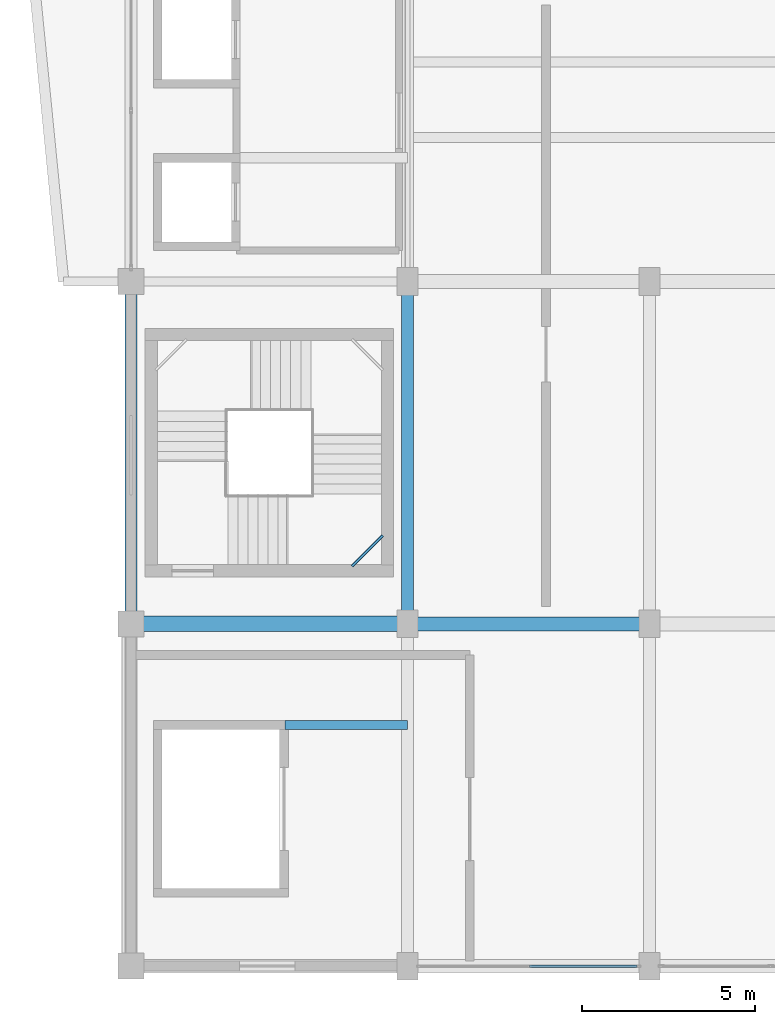
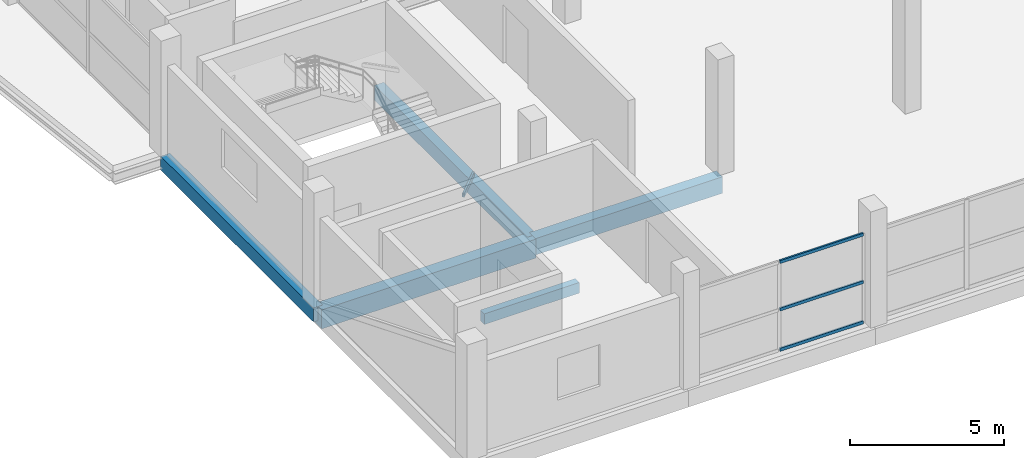
# One storey, part 3 of 55: 6 beams, 3 members, 1 element without a shape of its own.
"""IFC4 building model written with IfcOpenShell, lengths in metres."""

from ifc_helpers import new_model, si_unit, direction, frame, origin, origin_2d, place, context, subcontext, project, spatial, rectangle, hollow_rectangle, extrude, material, layer, layer_set, material_profile, profile_set, type_object, element, aggregate, save


model = new_model("IFC4")

# Units and contexts
model_context = context("Model", 3, precision=1e-05, world=origin(), true_north=direction((0.0, 1.0)))
body_context = subcontext(model_context, "Body", "Model", "MODEL_VIEW")
ifc_project = project(units=[si_unit("LENGTHUNIT", "METRE"), si_unit("AREAUNIT", "SQUARE_METRE"), si_unit("VOLUMEUNIT", "CUBIC_METRE"), si_unit("PLANEANGLEUNIT", "RADIAN"), si_unit("MASSUNIT", "GRAM", prefix="KILO")], contexts=[model_context])

# Site, building, storey
site_placement = place(None, origin())
site = spatial("IfcSite", under=ifc_project, at=site_placement, CompositionType="ELEMENT")
building_placement = place(site_placement, origin())
building = spatial("IfcBuilding", under=site, at=building_placement, Name="Sillaruma Civic Art Gallery", CompositionType="ELEMENT")
storey_placement = place(building_placement, frame((0.0, 0.0, 37.739990234375)))
storey = spatial("IfcBuildingStorey", under=building, at=storey_placement, Name="L07", CompositionType="ELEMENT", Elevation=37.739990234375)

# Beams
ifc_material_1 = material(Name="Concrete H35 (35 MPa)", Category="concrete")
ifc_material_profile_1 = material_profile(ifc_material_1, rectangle(XDim=0.35009765625, YDim=0.60009765625, at=origin_2d()), Name="RCB350x600")
ifc_profile_set_1 = profile_set([ifc_material_profile_1], Name="Concrete H35 (35 MPa)")
beam_type_1 = type_object("IfcBeamType", Name="BM-BEAM-RCB350x600", PredefinedType="BEAM", material=ifc_profile_set_1)
beam_1_placement = place(storey_placement, frame((70.0, 29.699951171875, -0.5400390625), z_axis=(0.0, 1.0, 0.0), x_axis=(-1.0, 0.0, 0.0)))
element("IfcBeam", 1, at=beam_1_placement, inside=storey, type_object=beam_type_1, Name="Beam BM-06 (L06:G:4-5)", PredefinedType="BEAM", context=body_context, shape_type="SweptSolid", body=[
    extrude(rectangle(XDim=0.35009765625, YDim=0.60009765625, at=origin_2d()), origin(), (0.0, 0.0, 1.0), 9.900146484375),
])
ifc_material_profile_2 = material_profile(ifc_material_1, rectangle(XDim=0.39990234375, YDim=0.64990234375, at=origin_2d()), Name="RCB400x650")
ifc_profile_set_2 = profile_set([ifc_material_profile_2], Name="Concrete H35 (35 MPa)")
beam_type_2 = type_object("IfcBeamType", Name="BM-BEAM-RCB400x650", PredefinedType="BEAM", material=ifc_profile_set_2)
beam_2_placement = place(storey_placement, frame((70.0, 29.699951171875, -0.56494140625), z_axis=(1.0, 0.0, 0.0), x_axis=(0.0, 1.0, 0.0)))
element("IfcBeam", 2, at=beam_2_placement, inside=storey, type_object=beam_type_2, Name="Beam BM-05 (L06:4:G-H)", PredefinedType="BEAM", context=body_context, shape_type="SweptSolid", body=[
    extrude(rectangle(XDim=0.39990234375, YDim=0.64990234375, at=origin_2d()), origin(), (0.0, 0.0, 1.0), 7.0),
])
ifc_material_2 = material(Name="Concrete H40 (40 MPa)", Category="concrete")
ifc_material_profile_3 = material_profile(ifc_material_2, rectangle(XDim=0.449951171875, YDim=0.75, at=origin_2d()), Name="RCB450x750")
ifc_profile_set_3 = profile_set([ifc_material_profile_3], Name="Concrete H40 (40 MPa)")
beam_type_3 = type_object("IfcBeamType", Name="BM-BEAM-RCB450x750", PredefinedType="BEAM", material=ifc_profile_set_3)
beam_3_placement = place(storey_placement, frame((62.0, 29.699951171875, -0.614990234375), z_axis=(1.0, 0.0, 0.0), x_axis=(0.0, 1.0, 0.0)))
element("IfcBeam", 3, at=beam_3_placement, inside=storey, type_object=beam_type_3, Name="Beam BM-03 (L06:4:F-G)", PredefinedType="BEAM", context=body_context, shape_type="SweptSolid", body=[
    extrude(rectangle(XDim=0.449951171875, YDim=0.75, at=origin_2d()), origin(), (0.0, 0.0, 1.0), 8.0),
])
ifc_material_profile_4 = material_profile(ifc_material_1, rectangle(XDim=0.260009765625, YDim=0.419921875, at=origin_2d()), Name="RCB260x420")
ifc_profile_set_4 = profile_set([ifc_material_profile_4], Name="Concrete H35 (35 MPa)")
beam_type_4 = type_object("IfcBeamType", Name="BM-LINTEL-RCB260x420", PredefinedType="LINTEL", material=ifc_profile_set_4)
beam_4_placement = place(storey_placement, frame((66.449951171875, 26.780029296875, -0.449951171875), z_axis=(1.0, 0.0, 0.0), x_axis=(0.0, 1.0, 0.0)))
element("IfcBeam", 4, at=beam_4_placement, inside=storey, type_object=beam_type_4, Name="Core Portal Coupling Lintel BL-02 (L06:GL1)", PredefinedType="LINTEL", context=body_context, shape_type="SweptSolid", body=[
    extrude(rectangle(XDim=0.260009765625, YDim=0.419921875, at=origin_2d()), origin(), (0.0, 0.0, 1.0), 3.550048828125),
])
ifc_material_3 = material(Name="Structural Steel ASTM A500 Gr.C", Category="steel")
ifc_material_profile_5 = material_profile(ifc_material_3, hollow_rectangle(XDim=0.080078125, YDim=0.159912109375, WallThickness=0.008056640625, InnerFilletRadius=0.008056640625, OuterFilletRadius=0.01611328125, at=origin_2d()), Name="HSS160x80x8")
ifc_profile_set_5 = profile_set([ifc_material_profile_5], Name="Structural Steel ASTM A500 Gr.C")
beam_type_5 = type_object("IfcBeamType", Name="BM-LND-HSS160", PredefinedType="BEAM", material=ifc_profile_set_5)
beam_5_placement = place(storey_placement, frame((68.389892578125, 31.3701171875, 0.909912109375), z_axis=(0.707203758046, 0.707009791025, 0.0), x_axis=(-0.707009791025, 0.707203758046, 0.0)))
element("IfcBeam", 5, at=beam_5_placement, inside=storey, type_object=beam_type_5, Name="Stair Corner Landing Trimmer Beam (ST-03-L07-1)", PredefinedType="BEAM", context=body_context, shape_type="SweptSolid", body=[
    extrude(hollow_rectangle(XDim=0.080078125, YDim=0.159912109375, WallThickness=0.008056640625, InnerFilletRadius=0.008056640625, OuterFilletRadius=0.01611328125, at=origin_2d()), origin(), (0.0, 0.0, 1.0), 1.2587890625),
])
ifc_material_profile_6 = material_profile(ifc_material_1, rectangle(XDim=0.35009765625, YDim=0.550048828125, at=origin_2d()), Name="RCB350x550")
ifc_profile_set_6 = profile_set([ifc_material_profile_6], Name="Concrete H35 (35 MPa)")
beam_type_6 = type_object("IfcBeamType", Name="BM-SPANDREL-RCB350x550", PredefinedType="SPANDREL", material=ifc_profile_set_6)
beam_6_placement = place(storey_placement, frame((62.0, 29.699951171875, -0.514892578125), z_axis=(0.0, 1.0, 0.0), x_axis=(-1.0, 0.0, 0.0)))
element("IfcBeam", 6, at=beam_6_placement, inside=storey, type_object=beam_type_6, Name="Beam BS-04 (L06:F:4-5)", PredefinedType="SPANDREL", context=body_context, shape_type="SweptSolid", body=[
    extrude(rectangle(XDim=0.35009765625, YDim=0.550048828125, at=origin_2d()), origin(), (0.0, 0.0, 1.0), 9.900146484375),
])

# Curtain wall, members
ifc_material_4 = material(Name="Thermally Broken Extruded Aluminium 6063-T6", Category="aluminium")
ifc_layer = layer(ifc_material_4, 0.139892578125, Name="Thermally Broken Extruded Aluminium 6063-T6")
ifc_layer_set = layer_set([ifc_layer], Name="Thermally Broken Extruded Aluminium 6063-T6")
curtain_wall_type = type_object("IfcCurtainWallType", Name="CW-UNI-50", PredefinedType="NOTDEFINED", material=ifc_layer_set)
curtain_wall_placement = place(storey_placement, origin())
curtain_wall = element("IfcCurtainWall", 7, at=curtain_wall_placement, inside=storey, type_object=curtain_wall_type, Name="Unitised Curtain Wall CW-50 (CW-L07-S-2)", PredefinedType="NOTDEFINED")
ifc_material_profile_7 = material_profile(ifc_material_4, hollow_rectangle(XDim=0.06494140625, YDim=0.1201171875, WallThickness=0.00341796875, at=origin_2d()), Name="CWT65x120")
ifc_profile_set_7 = profile_set([ifc_material_profile_7], Name="Thermally Broken Extruded Aluminium 6063-T6")
member_type = type_object("IfcMemberType", Name="MEM-TRN-CWT65x120", PredefinedType="USERDEFINED", material=ifc_profile_set_7)
member_1_placement = place(storey_placement, frame((73.530029296875, 19.800048828125, 0.032470703125), z_axis=(1.0, 0.0, 0.0), x_axis=(0.0, 1.0, 0.0)))
member_1 = element("IfcMember", 8, at=member_1_placement, type_object=member_type, Name="CW-50 transom 2.1", ObjectType="TRANSOM", PredefinedType="USERDEFINED", context=body_context, shape_type="SweptSolid", body=[
    extrude(hollow_rectangle(XDim=0.06494140625, YDim=0.1201171875, WallThickness=0.00341796875, at=origin_2d()), origin(), (0.0, 0.0, 1.0), 3.10986328125),
])
member_2_placement = place(storey_placement, frame((73.530029296875, 19.800048828125, 1.623779296875), z_axis=(1.0, 0.0, 0.0), x_axis=(0.0, 1.0, 0.0)))
member_2 = element("IfcMember", 9, at=member_2_placement, type_object=member_type, Name="CW-50 transom 2.2", ObjectType="TRANSOM", PredefinedType="USERDEFINED", context=body_context, shape_type="SweptSolid", body=[
    extrude(hollow_rectangle(XDim=0.06494140625, YDim=0.1201171875, WallThickness=0.00341796875, at=origin_2d()), origin(), (0.0, 0.0, 1.0), 3.10986328125),
])
member_3_placement = place(storey_placement, frame((73.530029296875, 19.800048828125, 3.49755859375), z_axis=(1.0, 0.0, 0.0), x_axis=(0.0, 1.0, 0.0)))
member_3 = element("IfcMember", 10, at=member_3_placement, type_object=member_type, Name="CW-50 transom 2.3", ObjectType="TRANSOM", PredefinedType="USERDEFINED", context=body_context, shape_type="SweptSolid", body=[
    extrude(hollow_rectangle(XDim=0.06494140625, YDim=0.1201171875, WallThickness=0.00341796875, at=origin_2d()), origin(), (0.0, 0.0, 1.0), 3.10986328125),
])
aggregate(curtain_wall, [member_1, member_2, member_3])

save(model, "model.ifc")
